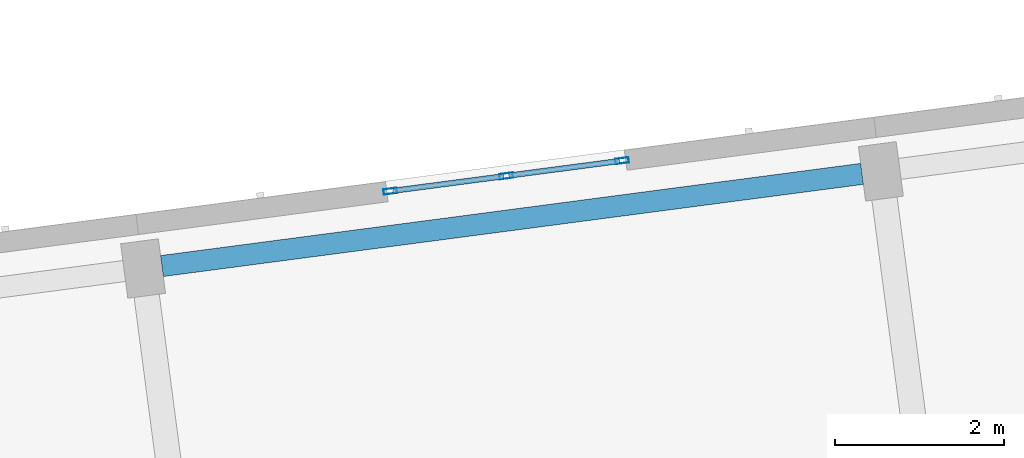
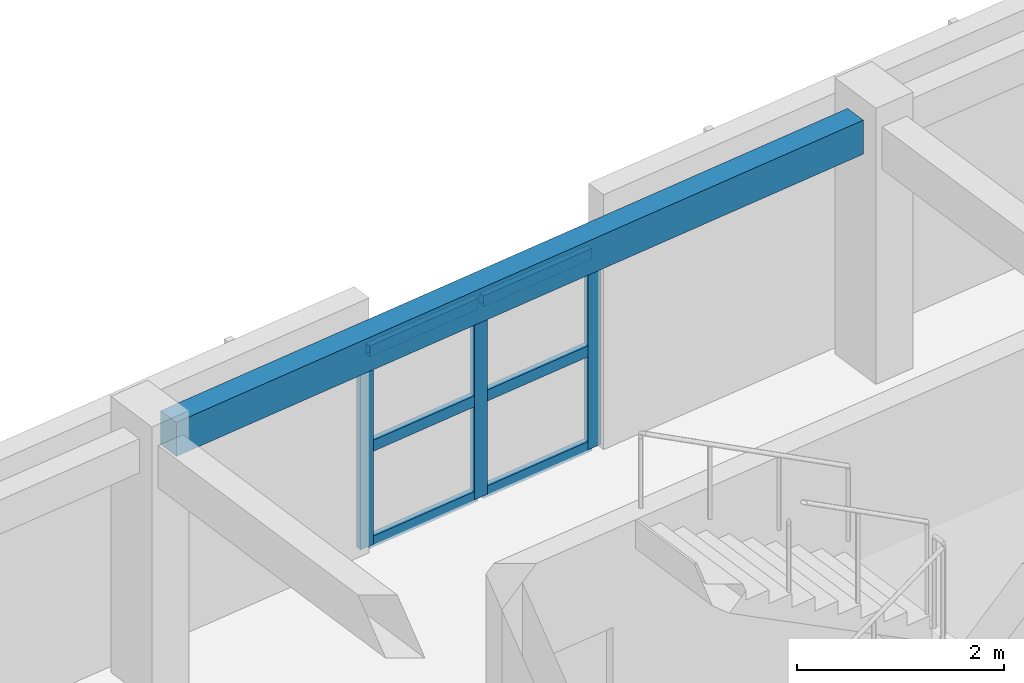
# One storey, part 4 of 34: 9 members, 1 beam, 1 element without a shape of its own.
"""IFC4 building model written with IfcOpenShell, lengths in metres."""

from ifc_helpers import new_model, si_unit, direction, frame, origin, origin_2d, place, context, subcontext, project, spatial, rectangle, hollow_rectangle, extrude, material, material_profile, profile_set, type_object, element, aggregate, save


model = new_model("IFC4")

# Units and contexts
model_context = context("Model", 3, precision=1e-05, world=origin(), true_north=direction((0.0, 1.0)))
body_context = subcontext(model_context, "Body", "Model", "MODEL_VIEW")
ifc_project = project(units=[si_unit("LENGTHUNIT", "METRE"), si_unit("AREAUNIT", "SQUARE_METRE"), si_unit("VOLUMEUNIT", "CUBIC_METRE"), si_unit("PLANEANGLEUNIT", "RADIAN"), si_unit("MASSUNIT", "GRAM", prefix="KILO")], contexts=[model_context])

# Site, building, storey
site_placement = place(None, origin())
site = spatial("IfcSite", under=ifc_project, at=site_placement, CompositionType="ELEMENT")
building_placement = place(site_placement, origin())
building = spatial("IfcBuilding", under=site, at=building_placement, Name="Kestramere Prow Commons", CompositionType="ELEMENT")
storey_placement = place(building_placement, frame((0.0, 0.0, 34.39990234375)))
storey = spatial("IfcBuildingStorey", under=building, at=storey_placement, Name="L10", CompositionType="ELEMENT", Elevation=34.39990234375)

# Curtain wall, members
ifc_material_1 = material(Name="Anodised Aluminium and Low-E Glass", Category="aluminium")
curtain_wall_type = type_object("IfcCurtainWallType", Name="CW-03 Glazed Curtain Wall 2830x2320", PredefinedType="USERDEFINED", material=ifc_material_1)
curtain_wall_placement = place(storey_placement, origin())
curtain_wall = element("IfcCurtainWall", 1, at=curtain_wall_placement, inside=storey, type_object=curtain_wall_type, Name="Block A L10 Stairwell Vertical Glazing 2", ObjectType="GLAZED CURTAIN WALL", PredefinedType="USERDEFINED")
ifc_material_2 = material(Name="Anodised Aluminium 6063-T6", Category="aluminium")
ifc_material_profile_1 = material_profile(ifc_material_2, hollow_rectangle(XDim=0.06494140625, YDim=0.159912109375, WallThickness=0.00390625, at=origin_2d()), Name="ALU-MUL 65x160")
ifc_profile_set_1 = profile_set([ifc_material_profile_1], Name="Anodised Aluminium 6063-T6")
member_type_1 = type_object("IfcMemberType", Name="CW-MUL-65x160", PredefinedType="MULLION", material=ifc_profile_set_1)
member_1_placement = place(storey_placement, frame((20.2373046875, 93.891845703125, 0.0), z_axis=(0.0, 0.0, 1.0), x_axis=(-0.13052614723, 0.991444867297, 0.0)))
member_1 = element("IfcMember", 2, at=member_1_placement, type_object=member_type_1, Name="CW-03 mullion 1", PredefinedType="MULLION", context=body_context, shape_type="SweptSolid", body=[
    extrude(hollow_rectangle(XDim=0.06494140625, YDim=0.159912109375, WallThickness=0.00390625, at=origin_2d()), origin(), (0.0, 0.0, 1.0), 2.320068359375),
])
member_2_placement = place(storey_placement, frame((21.60791015625, 94.072265625, 0.0), z_axis=(0.0, 0.0, 1.0), x_axis=(-0.13052614723, 0.991444867297, 0.0)))
member_2 = element("IfcMember", 3, at=member_2_placement, type_object=member_type_1, Name="CW-03 mullion 2", PredefinedType="MULLION", context=body_context, shape_type="SweptSolid", body=[
    extrude(hollow_rectangle(XDim=0.06494140625, YDim=0.159912109375, WallThickness=0.00390625, at=origin_2d()), origin(), (0.0, 0.0, 1.0), 2.320068359375),
])
member_3_placement = place(storey_placement, frame((22.978759765625, 94.252685546875, 0.0), z_axis=(0.0, 0.0, 1.0), x_axis=(-0.13052614723, 0.991444867297, 0.0)))
member_3 = element("IfcMember", 4, at=member_3_placement, type_object=member_type_1, Name="CW-03 mullion 3", PredefinedType="MULLION", context=body_context, shape_type="SweptSolid", body=[
    extrude(hollow_rectangle(XDim=0.06494140625, YDim=0.159912109375, WallThickness=0.00390625, at=origin_2d()), origin(), (0.0, 0.0, 1.0), 2.320068359375),
])
ifc_material_profile_2 = material_profile(ifc_material_2, hollow_rectangle(XDim=0.06494140625, YDim=0.1298828125, WallThickness=0.00390625, at=origin_2d()), Name="ALU-TRN 65x130")
ifc_profile_set_2 = profile_set([ifc_material_profile_2], Name="Anodised Aluminium 6063-T6")
member_type_2 = type_object("IfcMemberType", Name="CW-TRN-65x130", PredefinedType="USERDEFINED", material=ifc_profile_set_2)
member_4_placement = place(storey_placement, frame((20.26953125, 93.896240234375, 0.03271484375), z_axis=(0.991453033969, 0.130464100171, 0.0), x_axis=(-0.130464100171, 0.991453033969, 0.0)))
member_4 = element("IfcMember", 5, at=member_4_placement, type_object=member_type_2, Name="CW-03 transom 1.1", ObjectType="TRANSOM", PredefinedType="USERDEFINED", context=body_context, shape_type="SweptSolid", body=[
    extrude(hollow_rectangle(XDim=0.06494140625, YDim=0.1298828125, WallThickness=0.00390625, at=origin_2d()), origin(), (0.0, 0.0, 1.0), 1.3173828125),
])
member_5_placement = place(storey_placement, frame((20.26953125, 93.896240234375, 1.16015625), z_axis=(0.991453033969, 0.130464100171, 0.0), x_axis=(-0.130464100171, 0.991453033969, 0.0)))
member_5 = element("IfcMember", 6, at=member_5_placement, type_object=member_type_2, Name="CW-03 transom 1.2", ObjectType="TRANSOM", PredefinedType="USERDEFINED", context=body_context, shape_type="SweptSolid", body=[
    extrude(hollow_rectangle(XDim=0.06494140625, YDim=0.1298828125, WallThickness=0.00390625, at=origin_2d()), origin(), (0.0, 0.0, 1.0), 1.3173828125),
])
member_6_placement = place(storey_placement, frame((20.26953125, 93.896240234375, 2.28759765625), z_axis=(0.991453033969, 0.130464100171, 0.0), x_axis=(-0.130464100171, 0.991453033969, 0.0)))
member_6 = element("IfcMember", 7, at=member_6_placement, type_object=member_type_2, Name="CW-03 transom 1.3", ObjectType="TRANSOM", PredefinedType="USERDEFINED", context=body_context, shape_type="SweptSolid", body=[
    extrude(hollow_rectangle(XDim=0.06494140625, YDim=0.1298828125, WallThickness=0.00390625, at=origin_2d()), origin(), (0.0, 0.0, 1.0), 1.3173828125),
])
member_7_placement = place(storey_placement, frame((21.64013671875, 94.07666015625, 0.03271484375), z_axis=(0.991456187381, 0.130440133791, 0.0), x_axis=(-0.130440133791, 0.991456187381, 0.0)))
member_7 = element("IfcMember", 8, at=member_7_placement, type_object=member_type_2, Name="CW-03 transom 2.1", ObjectType="TRANSOM", PredefinedType="USERDEFINED", context=body_context, shape_type="SweptSolid", body=[
    extrude(hollow_rectangle(XDim=0.06494140625, YDim=0.1298828125, WallThickness=0.00390625, at=origin_2d()), origin(), (0.0, 0.0, 1.0), 1.317626953125),
])
member_8_placement = place(storey_placement, frame((21.64013671875, 94.07666015625, 1.16015625), z_axis=(0.991456187381, 0.130440133791, 0.0), x_axis=(-0.130440133791, 0.991456187381, 0.0)))
member_8 = element("IfcMember", 9, at=member_8_placement, type_object=member_type_2, Name="CW-03 transom 2.2", ObjectType="TRANSOM", PredefinedType="USERDEFINED", context=body_context, shape_type="SweptSolid", body=[
    extrude(hollow_rectangle(XDim=0.06494140625, YDim=0.1298828125, WallThickness=0.00390625, at=origin_2d()), origin(), (0.0, 0.0, 1.0), 1.317626953125),
])
member_9_placement = place(storey_placement, frame((21.64013671875, 94.07666015625, 2.28759765625), z_axis=(0.991456187381, 0.130440133791, 0.0), x_axis=(-0.130440133791, 0.991456187381, 0.0)))
member_9 = element("IfcMember", 10, at=member_9_placement, type_object=member_type_2, Name="CW-03 transom 2.3", ObjectType="TRANSOM", PredefinedType="USERDEFINED", context=body_context, shape_type="SweptSolid", body=[
    extrude(hollow_rectangle(XDim=0.06494140625, YDim=0.1298828125, WallThickness=0.00390625, at=origin_2d()), origin(), (0.0, 0.0, 1.0), 1.317626953125),
])
aggregate(curtain_wall, [member_1, member_2, member_3, member_4, member_5, member_6, member_7, member_8, member_9])

# Beam
ifc_material_3 = material(Name="Precast concrete C40/50", Category="concrete")
ifc_material_profile_3 = material_profile(ifc_material_3, rectangle(XDim=0.25, YDim=0.39990234375, at=origin_2d()), Name="PC-SP 250x400")
ifc_profile_set_3 = profile_set([ifc_material_profile_3], Name="Precast concrete C40/50")
beam_type = type_object("IfcBeamType", Name="SP-EXT-01 PC-SP 250x400", PredefinedType="SPANDREL", material=ifc_profile_set_3)
beam_placement = place(storey_placement, frame((17.537353515625, 93.0068359375, 2.800048828125), z_axis=(0.991445635283, 0.13052031366, 0.0), x_axis=(-0.13052031366, 0.991445635283, 0.0)))
element("IfcBeam", 11, at=beam_placement, inside=storey, type_object=beam_type, Name="Block A L10 Longitudinal Beam 4-2", PredefinedType="SPANDREL", context=body_context, shape_type="SweptSolid", body=[
    extrude(rectangle(XDim=0.25, YDim=0.39990234375, at=origin_2d()), origin(), (0.0, 0.0, 1.0), 8.35009765625),
])

save(model, "model.ifc")
